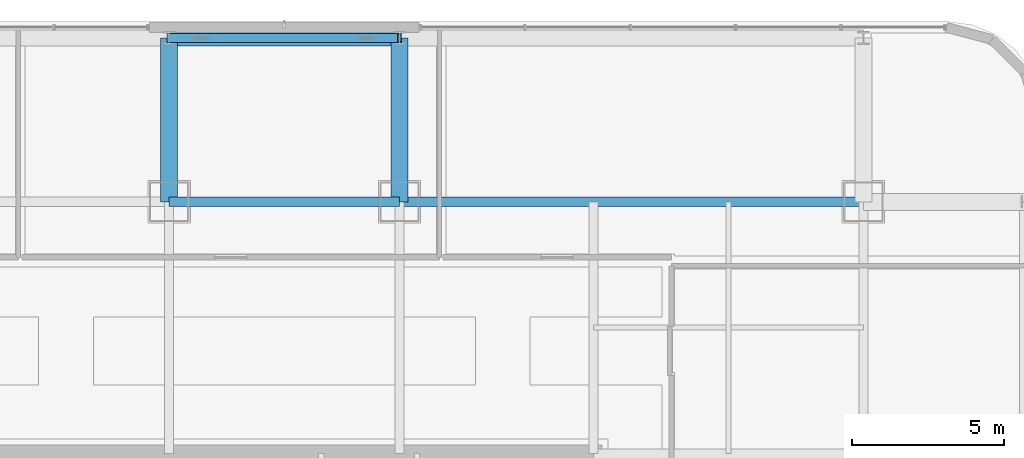
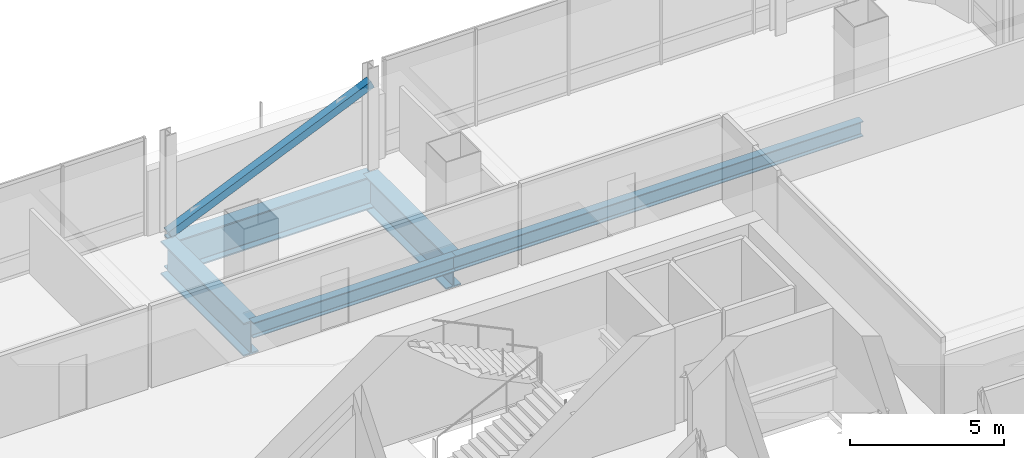
# One storey, part 23 of 44: 5 beams, 1 member.
"""IFC4 building model written with IfcOpenShell, lengths in metres."""

import ifcopenshell
import ifcopenshell.guid

model = None  # the IFC model being written
_history = None  # IfcOwnerHistory: only IFC2X3 demands one
_inside = {}  # id of a spatial element -> (the spatial element, [elements in it])
_under = {}  # id of a project, library or spatial element -> (it, [spatial elements below it])
_declared = {}  # id of a project -> (the project, [libraries it declares])
_typed = {}  # id of a type object -> (the type object, [elements of that type])
_made_of = {}  # id of a material, layer set ... -> (it, [elements and type objects made of it])


def new_model(schema):
    """Start an empty IFC model of exactly this schema.

    Asked for "IFC4X3", IfcOpenShell would pick the latest addendum, in which some entities
    have other attributes; the version numbers below select the first issue.
    IFC2X3 requires an IfcOwnerHistory on every rooted entity: one is made here for all.
    """
    global model, _history
    if schema == "IFC4X3":
        model = ifcopenshell.file(schema_version=(4, 3, 0, 0))
    else:
        model = ifcopenshell.file(schema=schema)
    _inside.clear()
    _under.clear()
    _declared.clear()
    _typed.clear()
    _made_of.clear()
    _history = None
    if model.schema == "IFC2X3":
        org = make("IfcOrganization", Name="unknown")
        user = make(
            "IfcPersonAndOrganization",
            ThePerson=make("IfcPerson", FamilyName="unknown"),
            TheOrganization=org,
        )
        app = make(
            "IfcApplication",
            ApplicationDeveloper=org,
            Version="unknown",
            ApplicationFullName="unknown",
            ApplicationIdentifier="unknown",
        )
        _history = make(
            "IfcOwnerHistory",
            OwningUser=user,
            OwningApplication=app,
            ChangeAction="ADDED",
            CreationDate=0,
        )
    return model


def make(cls, **values):
    """One entity of the class cls with the attributes given. An attribute that is None is left unset."""
    return model.create_entity(
        cls, **{name: value for name, value in values.items() if value is not None}
    )


def rooted(cls, **values):
    """An entity with a GlobalId (a new one), such as an element, a storey or a relation."""
    return make(cls, GlobalId=ifcopenshell.guid.new(), OwnerHistory=_history, **values)


def si_unit(unit_type, name, prefix=None):
    """IfcSIUnit, for example si_unit("LENGTHUNIT", "METRE", prefix="MILLI")."""
    return make("IfcSIUnit", UnitType=unit_type, Prefix=prefix, Name=name)


def assignment(units):
    """IfcUnitAssignment: the units of a project."""
    return None if units is None else make("IfcUnitAssignment", Units=units)


def point(xyz):
    """IfcCartesianPoint."""
    return None if xyz is None else make("IfcCartesianPoint", Coordinates=xyz)


def direction(xyz):
    """IfcDirection."""
    return None if xyz is None else make("IfcDirection", DirectionRatios=xyz)


def frame(location, z_axis=None, x_axis=None):
    """IfcAxis2Placement3D, a coordinate frame: its origin and axes. An axis left out is left unset."""
    return make(
        "IfcAxis2Placement3D",
        Location=point(location),
        Axis=direction(z_axis),
        RefDirection=direction(x_axis),
    )


def frame_2d(location, x_axis=None):
    """IfcAxis2Placement2D, a coordinate frame in the plane: its origin and x axis."""
    return make(
        "IfcAxis2Placement2D", Location=point(location), RefDirection=direction(x_axis)
    )


def origin():
    """The frame at (0, 0, 0) with its axes left unset."""
    return frame((0.0, 0.0, 0.0))


def origin_2d():
    """The frame at (0, 0) in the plane with its x axis left unset."""
    return frame_2d((0.0, 0.0))


def place(relative_to, where):
    """IfcLocalPlacement: puts the frame where relative to a parent placement (None: the world)."""
    return make(
        "IfcLocalPlacement", PlacementRelTo=relative_to, RelativePlacement=where
    )


def context(
    kind, dimensions, precision=None, world=None, true_north=None, identifier=None
):
    """IfcGeometricRepresentationContext, for example the 3D "Model" context."""
    return make(
        "IfcGeometricRepresentationContext",
        ContextIdentifier=identifier,
        ContextType=kind,
        CoordinateSpaceDimension=dimensions,
        Precision=precision,
        WorldCoordinateSystem=world,
        TrueNorth=true_north,
    )


def subcontext(parent, identifier, kind, view, scale=None):
    """IfcGeometricRepresentationSubContext, for example "Body" below "Model"."""
    return make(
        "IfcGeometricRepresentationSubContext",
        ContextIdentifier=identifier,
        ContextType=kind,
        ParentContext=parent,
        TargetScale=scale,
        TargetView=view,
    )


def project(units=None, contexts=None):
    """IfcProject with its units and contexts."""
    return rooted(
        "IfcProject",
        Name="project",
        RepresentationContexts=contexts,
        UnitsInContext=assignment(units),
    )


def spatial(cls, under=None, at=None, **own):
    """A site, building, storey or space (cls), placed at a placement, below another one or the project."""
    s = rooted(cls, ObjectPlacement=at, **own)
    if under is not None:
        _under.setdefault(under.id(), (under, []))[1].append(s)
    return s


def profile(cls, at=None, kind="AREA", **sizes):
    """A parametric profile (cls). Its sizes go by their IFC names, for example OverallWidth=200.0."""
    return make(cls, ProfileType=kind, Position=at, **sizes)


def hollow_rectangle(**sizes):
    """IfcRectangleHollowProfileDef."""
    return profile("IfcRectangleHollowProfileDef", **sizes)


def i_section(**sizes):
    """IfcIShapeProfileDef."""
    return profile("IfcIShapeProfileDef", **sizes)


def extrude(swept, where, along, depth):
    """IfcExtrudedAreaSolid: the profile swept, set in the frame where, extruded along a direction by depth."""
    return make(
        "IfcExtrudedAreaSolid",
        SweptArea=swept,
        Position=where,
        ExtrudedDirection=direction(along),
        Depth=depth,
    )


def shape(context_of_items, identifier, shape_type, items):
    """IfcShapeRepresentation: the items that make up one representation, for example the "Body"."""
    return make(
        "IfcShapeRepresentation",
        ContextOfItems=context_of_items,
        RepresentationIdentifier=identifier,
        RepresentationType=shape_type,
        Items=items,
    )


def material(Name=None, Category=None):
    """IfcMaterial."""
    return make("IfcMaterial", Name=Name, Category=Category)


def material_profile(
    of_material, cross_section, Name=None, Category=None, Priority=None
):
    """IfcMaterialProfile: a cross section and its material."""
    return make(
        "IfcMaterialProfile",
        Name=Name,
        Material=of_material,
        Profile=cross_section,
        Priority=Priority,
        Category=Category,
    )


def profile_set(profiles, Name=None, composite=None):
    """IfcMaterialProfileSet."""
    return make(
        "IfcMaterialProfileSet",
        Name=Name,
        MaterialProfiles=profiles,
        CompositeProfile=composite,
    )


def made_of(thing, what):
    """Note that an element or type object is made of a material, layer set ...; save() writes the relation."""
    if what is not None:
        _made_of.setdefault(what.id(), (what, []))[1].append(thing)
    return thing


def type_object(cls, material=None, **own):
    """A type object (cls), such as IfcWallType, which elements share."""
    return made_of(rooted(cls, **own), material)


def element(
    cls,
    number,
    at=None,
    inside=None,
    cuts=None,
    type_object=None,
    material=None,
    context=None,
    identifier="Body",
    shape_type=None,
    held_by="IfcProductDefinitionShape",
    body=None,
    shapes=None,
    **own,
):
    """One element of the class cls, such as IfcWall. Its Tag is "e" and its number.

    at: its placement. inside: the storey or other place that contains it. cuts: it is an
    opening in that element (IfcRelVoidsElement). A single representation is given by context,
    identifier, shape_type and body (its items); several are given by shapes. held_by: the class
    of the entity that holds the representations. save() writes the other relations.
    """
    e = rooted(cls, Tag="e%d" % number, ObjectPlacement=at, **own)
    if body is not None:
        shapes = [shape(context, identifier, shape_type, body)]
    if shapes is not None:
        e.Representation = make(held_by, Representations=shapes)
    if inside is not None:
        _inside.setdefault(inside.id(), (inside, []))[1].append(e)
    if cuts is not None:
        rooted(
            "IfcRelVoidsElement", RelatingBuildingElement=cuts, RelatedOpeningElement=e
        )
    if type_object is not None:
        _typed.setdefault(type_object.id(), (type_object, []))[1].append(e)
    return made_of(e, material)


def aggregate(whole, parts):
    """IfcRelAggregates: a whole, such as a stair, and the parts it consists of."""
    return rooted("IfcRelAggregates", RelatingObject=whole, RelatedObjects=parts)


def save(model, path):
    """Write the relations noted so far, then the file.

    IfcRelAggregates (storeys below a building ...), IfcRelContainedInSpatialStructure (elements
    in a storey), IfcRelDefinesByType, IfcRelAssociatesMaterial and IfcRelDeclares: one each for
    every whole, place, type object, material and project.
    """
    for whole, parts in _under.values():
        aggregate(whole, parts)
    for where, things in _inside.values():
        rooted(
            "IfcRelContainedInSpatialStructure",
            RelatedElements=things,
            RelatingStructure=where,
        )
    for kind, things in _typed.values():
        rooted("IfcRelDefinesByType", RelatedObjects=things, RelatingType=kind)
    for what, things in _made_of.values():
        rooted("IfcRelAssociatesMaterial", RelatedObjects=things, RelatingMaterial=what)
    for by, libraries in _declared.values():
        rooted("IfcRelDeclares", RelatingContext=by, RelatedDefinitions=libraries)
    model.write(path)


model = new_model("IFC4")

# Units and contexts
model_context = context("Model", 3, precision=1e-05, world=origin(), true_north=direction((0.0, 1.0)))
body_context = subcontext(model_context, "Body", "Model", "MODEL_VIEW")
ifc_project = project(units=[si_unit("LENGTHUNIT", "METRE"), si_unit("AREAUNIT", "SQUARE_METRE"), si_unit("VOLUMEUNIT", "CUBIC_METRE"), si_unit("PLANEANGLEUNIT", "RADIAN"), si_unit("MASSUNIT", "GRAM", prefix="KILO")], contexts=[model_context])

# Site, building, storey
site_placement = place(None, origin())
site = spatial("IfcSite", under=ifc_project, at=site_placement, CompositionType="ELEMENT")
building_placement = place(site_placement, origin())
building = spatial("IfcBuilding", under=site, at=building_placement, Name="Punatoya Terracotta Tower", CompositionType="ELEMENT")
storey_placement = place(building_placement, frame((0.0, 0.0, 267.60009765625)))
storey = spatial("IfcBuildingStorey", under=building, at=storey_placement, Name="L63", CompositionType="ELEMENT", Elevation=267.60009765625)

# Beams
ifc_material_1 = material(Name="Steel S355", Category="steel")
ifc_material_profile_1 = material_profile(ifc_material_1, i_section(OverallWidth=0.300048828125, OverallDepth=0.60009765625, WebThickness=0.015380859375, FlangeThickness=0.030029296875, FilletRadius=0.01806640625, at=origin_2d()))
ifc_profile_set_1 = profile_set([ifc_material_profile_1], Name="Steel S355")
beam_type_1 = type_object("IfcBeamType", Name="BM-PRI-600", PredefinedType="BEAM", material=ifc_profile_set_1)
beam_1_placement = place(storey_placement, frame((-3.800048828125, 17.5, -0.5), z_axis=(1.0, 0.0, 0.0), x_axis=(0.0, 1.0, 0.0)))
element("IfcBeam", 1, at=beam_1_placement, inside=storey, type_object=beam_type_1, Name="BM-L63-RG-N2", PredefinedType="BEAM", context=body_context, shape_type="SweptSolid", body=[
    extrude(i_section(OverallWidth=0.300048828125, OverallDepth=0.60009765625, WebThickness=0.015380859375, FlangeThickness=0.030029296875, FilletRadius=0.01806640625, at=origin_2d()), origin(), (0.0, 0.0, 1.0), 7.60009765625),
])
beam_2_placement = place(storey_placement, frame((3.800048828125, 17.5, -0.5), z_axis=(1.0, 0.0, 0.0), x_axis=(0.0, 1.0, 0.0)))
element("IfcBeam", 2, at=beam_2_placement, inside=storey, type_object=beam_type_1, Name="BM-L63-RG-N3", PredefinedType="BEAM", context=body_context, shape_type="SweptSolid", body=[
    extrude(i_section(OverallWidth=0.300048828125, OverallDepth=0.60009765625, WebThickness=0.015380859375, FlangeThickness=0.030029296875, FilletRadius=0.01806640625, at=origin_2d()), origin(), (0.0, 0.0, 1.0), 15.300048828125),
])
ifc_material_2 = material(Name="Steel S460", Category="steel")
ifc_material_profile_2 = material_profile(ifc_material_2, i_section(OverallWidth=0.56005859375, OverallDepth=1.320068359375, WebThickness=0.035888671875, FlangeThickness=0.054931640625, FilletRadius=0.01806640625, at=origin_2d()))
ifc_profile_set_2 = profile_set([ifc_material_profile_2], Name="Steel S460")
beam_type_2 = type_object("IfcBeamType", Name="BM-TG-BLK", PredefinedType="BEAM", material=ifc_profile_set_2)
for number, where, z_axis, x_axis, name in (
    (3, (-3.800048828125, 17.5, -0.860107421875), (0.0, 1.0, 0.0), (-1.0, 0.0, 0.0), "BM-L63-CANT-N2"),
    (4, (3.800048828125, 17.5, -0.860107421875), (0.0, 1.0, 0.0), (-1.0, 0.0, 0.0), "BM-L63-CANT-N3"),
):
    element("IfcBeam", number, at=place(storey_placement, frame(where, z_axis=z_axis, x_axis=x_axis)), inside=storey, type_object=beam_type_2, Name=name, PredefinedType="BEAM", context=body_context, shape_type="SweptSolid", body=[
        extrude(i_section(OverallWidth=0.56005859375, OverallDepth=1.320068359375, WebThickness=0.035888671875, FlangeThickness=0.054931640625, FilletRadius=0.01806640625, at=origin_2d()), origin(), (0.0, 0.0, 1.0), 5.39990234375),
    ])
ifc_material_profile_3 = material_profile(ifc_material_2, i_section(OverallWidth=0.52001953125, OverallDepth=1.280029296875, WebThickness=0.031982421875, FlangeThickness=0.050048828125, FilletRadius=0.01806640625, at=origin_2d()))
ifc_profile_set_3 = profile_set([ifc_material_profile_3], Name="Steel S460")
beam_type_3 = type_object("IfcBeamType", Name="BM-TG-NCK", PredefinedType="BEAM", material=ifc_profile_set_3)
beam_3_placement = place(storey_placement, frame((-3.800048828125, 22.89990234375, -0.840087890625), z_axis=(1.0, 0.0, 0.0), x_axis=(0.0, 1.0, 0.0)))
element("IfcBeam", 5, at=beam_3_placement, inside=storey, type_object=beam_type_3, Name="BM-L63-PER-N2", PredefinedType="BEAM", context=body_context, shape_type="SweptSolid", body=[
    extrude(i_section(OverallWidth=0.52001953125, OverallDepth=1.280029296875, WebThickness=0.031982421875, FlangeThickness=0.050048828125, FilletRadius=0.01806640625, at=origin_2d()), origin(), (0.0, 0.0, 1.0), 7.60009765625),
])

# Member
ifc_material_profile_4 = material_profile(ifc_material_1, hollow_rectangle(XDim=0.300048828125, YDim=0.300048828125, WallThickness=0.01611328125, at=origin_2d()))
ifc_profile_set_4 = profile_set([ifc_material_profile_4], Name="Steel S355")
member_type = type_object("IfcMemberType", Name="MEM-WND-300", PredefinedType="BRACE", material=ifc_profile_set_4)
member_placement = place(storey_placement, frame((-3.800048828125, 22.89990234375, 0.02001953125), z_axis=(0.915945166505, 0.0, 0.401303441245), x_axis=(0.0, 1.0, 0.0)))
element("IfcMember", 6, at=member_placement, inside=storey, type_object=member_type, Name="L63 Perimeter Wind Brace N2", PredefinedType="BRACE", context=body_context, shape_type="SweptSolid", body=[
    extrude(hollow_rectangle(XDim=0.300048828125, YDim=0.300048828125, WallThickness=0.01611328125, at=origin_2d()), origin(), (0.0, 0.0, 1.0), 8.297607421875),
])

save(model, "model.ifc")
